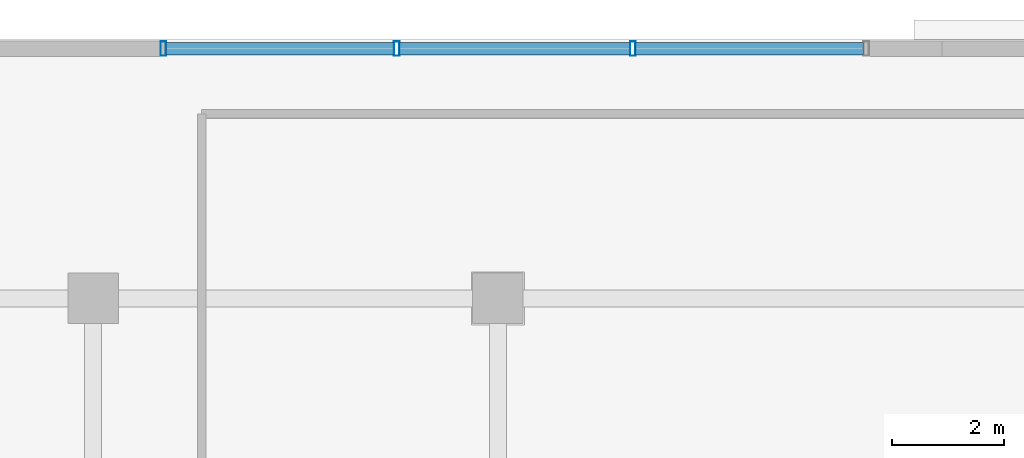
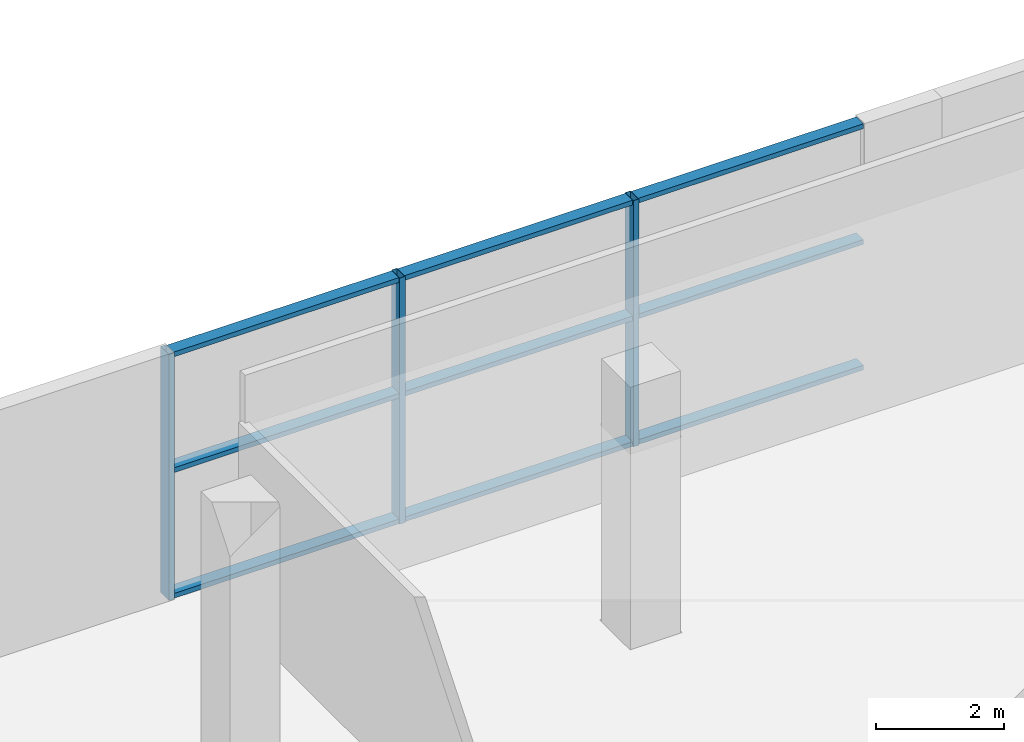
# One storey, part 8 of 27: 12 members, 1 element without a shape of its own.
"""IFC4 building model written with IfcOpenShell, lengths in metres."""

from ifc_helpers import new_model, si_unit, direction, frame, origin, origin_2d, place, context, subcontext, project, spatial, hollow_rectangle, extrude, source, transform, mapped, material, layer, layer_set, material_profile, profile_set, type_object, element, aggregate, save


model = new_model("IFC4")

# Units and contexts
model_context = context("Model", 3, precision=1e-05, world=origin(), true_north=direction((0.0, 1.0)))
body_context = subcontext(model_context, "Body", "Model", "MODEL_VIEW")
ifc_project = project(units=[si_unit("LENGTHUNIT", "METRE"), si_unit("AREAUNIT", "SQUARE_METRE"), si_unit("VOLUMEUNIT", "CUBIC_METRE"), si_unit("PLANEANGLEUNIT", "RADIAN"), si_unit("MASSUNIT", "GRAM", prefix="KILO")], contexts=[model_context])

# Site, building, storey
site_placement = place(None, origin())
site = spatial("IfcSite", under=ifc_project, at=site_placement, CompositionType="ELEMENT")
building_placement = place(site_placement, origin())
building = spatial("IfcBuilding", under=site, at=building_placement, Name="Zarnakvel Exchange Tower", CompositionType="ELEMENT")
storey_placement = place(building_placement, origin())
storey = spatial("IfcBuildingStorey", under=building, at=storey_placement, Name="L00", CompositionType="ELEMENT", Elevation=0.0)

# Curtain wall, members
ifc_material = material(Name="Architectural Bronze Anodised Aluminium", Category="aluminium")
ifc_layer = layer(ifc_material, 0.260009765625)
ifc_layer_set = layer_set([ifc_layer], Name="Architectural Bronze Anodised Aluminium")
curtain_wall_type = type_object("IfcCurtainWallType", Name="CW-01", PredefinedType="NOTDEFINED", material=ifc_layer_set)
curtain_wall_placement = place(storey_placement, origin())
curtain_wall = element("IfcCurtainWall", 1, at=curtain_wall_placement, inside=storey, type_object=curtain_wall_type, Name="L00 Curtain Wall CW-L00-N1 (CW-01)", PredefinedType="NOTDEFINED")
ifc_material_profile_1 = material_profile(ifc_material, hollow_rectangle(XDim=0.260009765625, YDim=0.10009765625, WallThickness=0.006103515625, at=origin_2d()))
ifc_profile_set_1 = profile_set([ifc_material_profile_1], Name="Architectural Bronze Anodised Aluminium")
member_type_1 = type_object("IfcMemberType", Name="CWM-01", PredefinedType="MULLION", material=ifc_profile_set_1)
shared_shape_1 = source(origin(), body_context, "Body", "SweptSolid", [
    extrude(hollow_rectangle(XDim=0.260009765625, YDim=0.10009765625, WallThickness=0.006103515625, at=origin_2d()), origin(), (0.0, 0.0, 1.0), 4.679931640625),
])
member_1_placement = place(storey_placement, frame((-20.35009765625, 26.0400390625, 0.0), z_axis=(0.0, 0.0, 1.0), x_axis=(0.0, 1.0, 0.0)))
member_1 = element("IfcMember", 2, at=member_1_placement, type_object=member_type_1, Name="CW-01 mullion 1", PredefinedType="MULLION", context=body_context, shape_type="MappedRepresentation", body=[
    mapped(shared_shape_1, transform((0.0, 0.0, 0.0), x_axis=(1.0, 0.0, 0.0), y_axis=(0.0, 1.0, 0.0), z_axis=(0.0, 0.0, 1.0), scale=1.0)),
])
member_2_placement = place(storey_placement, frame((-16.199951171875, 26.0400390625, 0.0), z_axis=(0.0, 0.0, 1.0), x_axis=(0.0, 1.0, 0.0)))
member_2 = element("IfcMember", 3, at=member_2_placement, type_object=member_type_1, Name="CW-01 mullion 2", PredefinedType="MULLION", context=body_context, shape_type="MappedRepresentation", body=[
    mapped(shared_shape_1, transform((0.0, 0.0, 0.0), x_axis=(1.0, 0.0, 0.0), y_axis=(0.0, 1.0, 0.0), z_axis=(0.0, 0.0, 1.0), scale=1.0)),
])
member_3_placement = place(storey_placement, frame((-12.0, 26.0400390625, 0.0), z_axis=(0.0, 0.0, 1.0), x_axis=(0.0, 1.0, 0.0)))
member_3 = element("IfcMember", 4, at=member_3_placement, type_object=member_type_1, Name="CW-01 mullion 3", PredefinedType="MULLION", context=body_context, shape_type="MappedRepresentation", body=[
    mapped(shared_shape_1, transform((0.0, 0.0, 0.0), x_axis=(1.0, 0.0, 0.0), y_axis=(0.0, 1.0, 0.0), z_axis=(0.0, 0.0, 1.0), scale=1.0)),
])
ifc_material_profile_2 = material_profile(ifc_material, hollow_rectangle(XDim=0.219970703125, YDim=0.090087890625, WallThickness=0.0048828125, at=origin_2d()))
ifc_profile_set_2 = profile_set([ifc_material_profile_2], Name="Architectural Bronze Anodised Aluminium")
member_type_2 = type_object("IfcMemberType", Name="CWT-01", PredefinedType="USERDEFINED", material=ifc_profile_set_2)
shared_shape_2 = source(origin(), body_context, "Body", "SweptSolid", [
    extrude(hollow_rectangle(XDim=0.219970703125, YDim=0.090087890625, WallThickness=0.0048828125, at=origin_2d()), origin(), (0.0, 0.0, 1.0), 4.050048828125),
])
member_4_placement = place(storey_placement, frame((-20.300048828125, 26.0400390625, 0.044921875), z_axis=(1.0, 0.0, 0.0), x_axis=(0.0, 1.0, 0.0)))
member_4 = element("IfcMember", 5, at=member_4_placement, type_object=member_type_2, Name="CW-01 transom 1.1", ObjectType="TRANSOM", PredefinedType="USERDEFINED", context=body_context, shape_type="MappedRepresentation", body=[
    mapped(shared_shape_2, transform((0.0, 0.0, 0.0), x_axis=(1.0, 0.0, 0.0), y_axis=(0.0, 1.0, 0.0), z_axis=(0.0, 0.0, 1.0), scale=1.0)),
])
member_5_placement = place(storey_placement, frame((-20.300048828125, 26.0400390625, 2.43359375), z_axis=(1.0, 0.0, 0.0), x_axis=(0.0, 1.0, 0.0)))
member_5 = element("IfcMember", 6, at=member_5_placement, type_object=member_type_2, Name="CW-01 transom 1.2", ObjectType="TRANSOM", PredefinedType="USERDEFINED", context=body_context, shape_type="MappedRepresentation", body=[
    mapped(shared_shape_2, transform((0.0, 0.0, 0.0), x_axis=(1.0, 0.0, 0.0), y_axis=(0.0, 1.0, 0.0), z_axis=(0.0, 0.0, 1.0), scale=1.0)),
])
member_6_placement = place(storey_placement, frame((-20.300048828125, 26.0400390625, 4.635009765625), z_axis=(1.0, 0.0, 0.0), x_axis=(0.0, 1.0, 0.0)))
member_6 = element("IfcMember", 7, at=member_6_placement, type_object=member_type_2, Name="CW-01 transom 1.3", ObjectType="TRANSOM", PredefinedType="USERDEFINED", context=body_context, shape_type="MappedRepresentation", body=[
    mapped(shared_shape_2, transform((0.0, 0.0, 0.0), x_axis=(1.0, 0.0, 0.0), y_axis=(0.0, 1.0, 0.0), z_axis=(0.0, 0.0, 1.0), scale=1.0)),
])
member_7_placement = place(storey_placement, frame((-11.949951171875, 26.0400390625, 0.044921875), z_axis=(1.0, 0.0, 0.0), x_axis=(0.0, 1.0, 0.0)))
member_7 = element("IfcMember", 8, at=member_7_placement, type_object=member_type_2, Name="CW-01 transom 3.1", ObjectType="TRANSOM", PredefinedType="USERDEFINED", context=body_context, shape_type="MappedRepresentation", body=[
    mapped(shared_shape_2, transform((0.0, 0.0, 0.0), x_axis=(1.0, 0.0, 0.0), y_axis=(0.0, 1.0, 0.0), z_axis=(0.0, 0.0, 1.0), scale=1.0)),
])
member_8_placement = place(storey_placement, frame((-11.949951171875, 26.0400390625, 2.43359375), z_axis=(1.0, 0.0, 0.0), x_axis=(0.0, 1.0, 0.0)))
member_8 = element("IfcMember", 9, at=member_8_placement, type_object=member_type_2, Name="CW-01 transom 3.2", ObjectType="TRANSOM", PredefinedType="USERDEFINED", context=body_context, shape_type="MappedRepresentation", body=[
    mapped(shared_shape_2, transform((0.0, 0.0, 0.0), x_axis=(1.0, 0.0, 0.0), y_axis=(0.0, 1.0, 0.0), z_axis=(0.0, 0.0, 1.0), scale=1.0)),
])
member_9_placement = place(storey_placement, frame((-11.949951171875, 26.0400390625, 4.635009765625), z_axis=(1.0, 0.0, 0.0), x_axis=(0.0, 1.0, 0.0)))
member_9 = element("IfcMember", 10, at=member_9_placement, type_object=member_type_2, Name="CW-01 transom 3.3", ObjectType="TRANSOM", PredefinedType="USERDEFINED", context=body_context, shape_type="MappedRepresentation", body=[
    mapped(shared_shape_2, transform((0.0, 0.0, 0.0), x_axis=(1.0, 0.0, 0.0), y_axis=(0.0, 1.0, 0.0), z_axis=(0.0, 0.0, 1.0), scale=1.0)),
])
shared_shape_3 = source(origin(), body_context, "Body", "SweptSolid", [
    extrude(hollow_rectangle(XDim=0.219970703125, YDim=0.090087890625, WallThickness=0.0048828125, at=origin_2d()), origin(), (0.0, 0.0, 1.0), 4.099853515625),
])
member_10_placement = place(storey_placement, frame((-16.14990234375, 26.0400390625, 0.044921875), z_axis=(1.0, 0.0, 0.0), x_axis=(0.0, 1.0, 0.0)))
member_10 = element("IfcMember", 11, at=member_10_placement, type_object=member_type_2, Name="CW-01 transom 2.1", ObjectType="TRANSOM", PredefinedType="USERDEFINED", context=body_context, shape_type="MappedRepresentation", body=[
    mapped(shared_shape_3, transform((0.0, 0.0, 0.0), x_axis=(1.0, 0.0, 0.0), y_axis=(0.0, 1.0, 0.0), z_axis=(0.0, 0.0, 1.0), scale=1.0)),
])
member_11_placement = place(storey_placement, frame((-16.14990234375, 26.0400390625, 2.43359375), z_axis=(1.0, 0.0, 0.0), x_axis=(0.0, 1.0, 0.0)))
member_11 = element("IfcMember", 12, at=member_11_placement, type_object=member_type_2, Name="CW-01 transom 2.2", ObjectType="TRANSOM", PredefinedType="USERDEFINED", context=body_context, shape_type="MappedRepresentation", body=[
    mapped(shared_shape_3, transform((0.0, 0.0, 0.0), x_axis=(1.0, 0.0, 0.0), y_axis=(0.0, 1.0, 0.0), z_axis=(0.0, 0.0, 1.0), scale=1.0)),
])
member_12_placement = place(storey_placement, frame((-16.14990234375, 26.0400390625, 4.635009765625), z_axis=(1.0, 0.0, 0.0), x_axis=(0.0, 1.0, 0.0)))
member_12 = element("IfcMember", 13, at=member_12_placement, type_object=member_type_2, Name="CW-01 transom 2.3", ObjectType="TRANSOM", PredefinedType="USERDEFINED", context=body_context, shape_type="MappedRepresentation", body=[
    mapped(shared_shape_3, transform((0.0, 0.0, 0.0), x_axis=(1.0, 0.0, 0.0), y_axis=(0.0, 1.0, 0.0), z_axis=(0.0, 0.0, 1.0), scale=1.0)),
])
aggregate(curtain_wall, [member_1, member_2, member_3, member_4, member_5, member_6, member_10, member_11, member_12, member_7, member_8, member_9])

save(model, "model.ifc")
